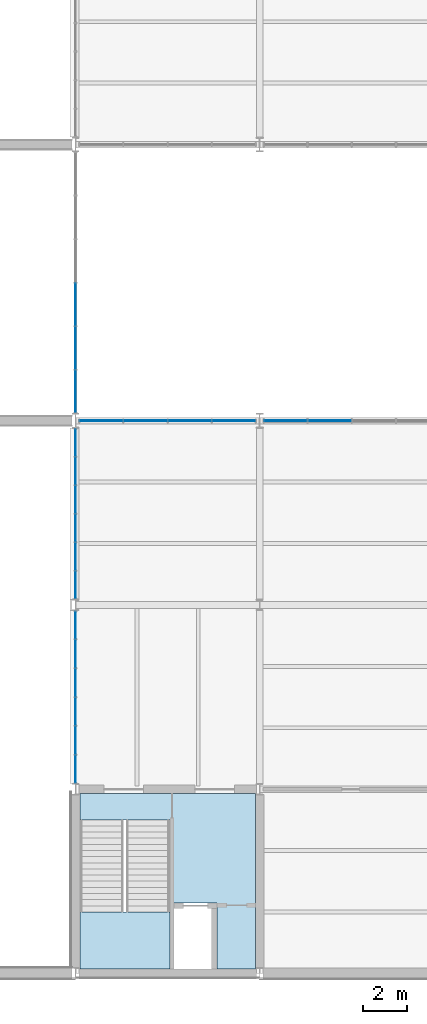
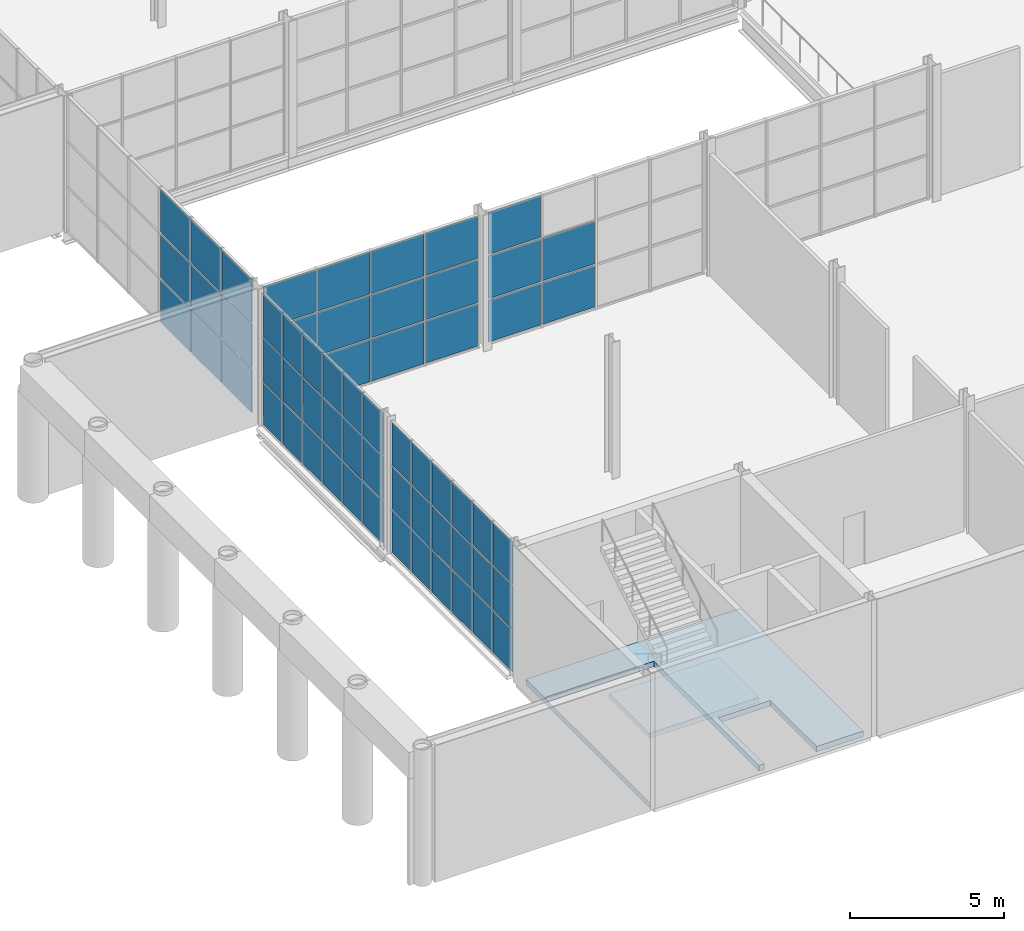
# One storey, part 32 of 64: 62 plates, 2 slabs, 6 elements without a shape of their own.
"""IFC4 building model written with IfcOpenShell, lengths in metres."""

from ifc_helpers import new_model, si_unit, direction, frame, origin, origin_2d, place, context, subcontext, project, spatial, polyline, rectangle, outline, extrude, material, layer, layer_set, type_object, element, aggregate, save


model = new_model("IFC4")

# Units and contexts
model_context = context("Model", 3, precision=1e-05, world=origin(), true_north=direction((0.0, 1.0)))
body_context = subcontext(model_context, "Body", "Model", "MODEL_VIEW")
ifc_project = project(units=[si_unit("LENGTHUNIT", "METRE"), si_unit("AREAUNIT", "SQUARE_METRE"), si_unit("VOLUMEUNIT", "CUBIC_METRE"), si_unit("PLANEANGLEUNIT", "RADIAN"), si_unit("MASSUNIT", "GRAM", prefix="KILO")], contexts=[model_context])

# Site, building, storey
site_placement = place(None, origin())
site = spatial("IfcSite", under=ifc_project, at=site_placement, CompositionType="ELEMENT")
building_placement = place(site_placement, origin())
building = spatial("IfcBuilding", under=site, at=building_placement, Name="Galleria Vessillo Department Store", CompositionType="ELEMENT")
storey_placement = place(building_placement, frame((0.0, 0.0, 6.0)))
storey = spatial("IfcBuildingStorey", under=building, at=storey_placement, Name="L01", CompositionType="ELEMENT", Elevation=6.0)

# Curtain wall, plates
ifc_material_1 = material(Name="Aluminium and glass curtain wall", Category="aluminium")
ifc_layer_1 = layer(ifc_material_1, 0.1201171875)
ifc_layer_set_1 = layer_set([ifc_layer_1], Name="Aluminium and glass curtain wall")
curtain_wall_type_1 = type_object("IfcCurtainWallType", Name="Shopfront curtain wall CW3 1400 module", PredefinedType="NOTDEFINED", material=ifc_layer_set_1)
curtain_wall_1_placement = place(storey_placement, origin())
curtain_wall_1 = element("IfcCurtainWall", 1, at=curtain_wall_1_placement, inside=storey, type_object=curtain_wall_type_1, Name="Shopfront curtain wall CW3 1400 module LB-L01-01", PredefinedType="NOTDEFINED")
ifc_material_2 = material(Name="Glass laminated 44.2 low-e", Category="glass")
ifc_layer_2 = layer(ifc_material_2, 0.02392578125)
ifc_layer_set_2 = layer_set([ifc_layer_2], Name="Glass laminated 44.2 low-e")
plate_type_1 = type_object("IfcPlateType", Name="Laminated glass panel 24 mm", PredefinedType="CURTAIN_PANEL", material=ifc_layer_set_2)
plate_1_placement = place(storey_placement, frame((8.39990234375, 9.32080078125, 1.77490234375), z_axis=(0.0, 0.0, 1.0), x_axis=(0.0, 1.0, 0.0)))
plate_1 = element("IfcPlate", 2, at=plate_1_placement, type_object=plate_type_1, Name="CW3 panel 1.2", PredefinedType="CURTAIN_PANEL", context=body_context, shape_type="SweptSolid", body=[
    extrude(rectangle(XDim=1.24169921875, YDim=0.02392578125, at=origin_2d()), origin(), (0.0, 0.0, 1.0), 1.699951171875),
])
plate_2_placement = place(storey_placement, frame((8.39990234375, 9.32080078125, 3.52490234375), z_axis=(0.0, 0.0, 1.0), x_axis=(0.0, 1.0, 0.0)))
plate_2 = element("IfcPlate", 3, at=plate_2_placement, type_object=plate_type_1, Name="CW3 panel 1.3", PredefinedType="CURTAIN_PANEL", context=body_context, shape_type="SweptSolid", body=[
    extrude(rectangle(XDim=1.24169921875, YDim=0.02392578125, at=origin_2d()), origin(), (0.0, 0.0, 1.0), 1.675048828125),
])
plate_3_placement = place(storey_placement, frame((8.39990234375, 10.625, 1.77490234375), z_axis=(0.0, 0.0, 1.0), x_axis=(0.0, 1.0, 0.0)))
plate_3 = element("IfcPlate", 4, at=plate_3_placement, type_object=plate_type_1, Name="CW3 panel 2.2", PredefinedType="CURTAIN_PANEL", context=body_context, shape_type="SweptSolid", body=[
    extrude(rectangle(XDim=1.2666015625, YDim=0.02392578125, at=origin_2d()), origin(), (0.0, 0.0, 1.0), 1.699951171875),
])
plate_4_placement = place(storey_placement, frame((8.39990234375, 10.625, 3.52490234375), z_axis=(0.0, 0.0, 1.0), x_axis=(0.0, 1.0, 0.0)))
plate_4 = element("IfcPlate", 5, at=plate_4_placement, type_object=plate_type_1, Name="CW3 panel 2.3", PredefinedType="CURTAIN_PANEL", context=body_context, shape_type="SweptSolid", body=[
    extrude(rectangle(XDim=1.2666015625, YDim=0.02392578125, at=origin_2d()), origin(), (0.0, 0.0, 1.0), 1.675048828125),
])
plate_5_placement = place(storey_placement, frame((8.39990234375, 11.941650390625, 1.77490234375), z_axis=(0.0, 0.0, 1.0), x_axis=(0.0, 1.0, 0.0)))
plate_5 = element("IfcPlate", 6, at=plate_5_placement, type_object=plate_type_1, Name="CW3 panel 3.2", PredefinedType="CURTAIN_PANEL", context=body_context, shape_type="SweptSolid", body=[
    extrude(rectangle(XDim=1.2666015625, YDim=0.02392578125, at=origin_2d()), origin(), (0.0, 0.0, 1.0), 1.699951171875),
])
plate_6_placement = place(storey_placement, frame((8.39990234375, 11.941650390625, 3.52490234375), z_axis=(0.0, 0.0, 1.0), x_axis=(0.0, 1.0, 0.0)))
plate_6 = element("IfcPlate", 7, at=plate_6_placement, type_object=plate_type_1, Name="CW3 panel 3.3", PredefinedType="CURTAIN_PANEL", context=body_context, shape_type="SweptSolid", body=[
    extrude(rectangle(XDim=1.2666015625, YDim=0.02392578125, at=origin_2d()), origin(), (0.0, 0.0, 1.0), 1.675048828125),
])
plate_7_placement = place(storey_placement, frame((8.39990234375, 13.25830078125, 1.77490234375), z_axis=(0.0, 0.0, 1.0), x_axis=(0.0, 1.0, 0.0)))
plate_7 = element("IfcPlate", 8, at=plate_7_placement, type_object=plate_type_1, Name="CW3 panel 4.2", PredefinedType="CURTAIN_PANEL", context=body_context, shape_type="SweptSolid", body=[
    extrude(rectangle(XDim=1.2666015625, YDim=0.02392578125, at=origin_2d()), origin(), (0.0, 0.0, 1.0), 1.699951171875),
])
plate_8_placement = place(storey_placement, frame((8.39990234375, 13.25830078125, 3.52490234375), z_axis=(0.0, 0.0, 1.0), x_axis=(0.0, 1.0, 0.0)))
plate_8 = element("IfcPlate", 9, at=plate_8_placement, type_object=plate_type_1, Name="CW3 panel 4.3", PredefinedType="CURTAIN_PANEL", context=body_context, shape_type="SweptSolid", body=[
    extrude(rectangle(XDim=1.2666015625, YDim=0.02392578125, at=origin_2d()), origin(), (0.0, 0.0, 1.0), 1.675048828125),
])
plate_9_placement = place(storey_placement, frame((8.39990234375, 14.574951171875, 1.77490234375), z_axis=(0.0, 0.0, 1.0), x_axis=(0.0, 1.0, 0.0)))
plate_9 = element("IfcPlate", 10, at=plate_9_placement, type_object=plate_type_1, Name="CW3 panel 5.2", PredefinedType="CURTAIN_PANEL", context=body_context, shape_type="SweptSolid", body=[
    extrude(rectangle(XDim=1.2666015625, YDim=0.02392578125, at=origin_2d()), origin(), (0.0, 0.0, 1.0), 1.699951171875),
])
plate_10_placement = place(storey_placement, frame((8.39990234375, 14.574951171875, 3.52490234375), z_axis=(0.0, 0.0, 1.0), x_axis=(0.0, 1.0, 0.0)))
plate_10 = element("IfcPlate", 11, at=plate_10_placement, type_object=plate_type_1, Name="CW3 panel 5.3", PredefinedType="CURTAIN_PANEL", context=body_context, shape_type="SweptSolid", body=[
    extrude(rectangle(XDim=1.2666015625, YDim=0.02392578125, at=origin_2d()), origin(), (0.0, 0.0, 1.0), 1.675048828125),
])
plate_11_placement = place(storey_placement, frame((8.39990234375, 15.879150390625, 1.77490234375), z_axis=(0.0, 0.0, 1.0), x_axis=(0.0, 1.0, 0.0)))
plate_11 = element("IfcPlate", 12, at=plate_11_placement, type_object=plate_type_1, Name="CW3 panel 6.2", PredefinedType="CURTAIN_PANEL", context=body_context, shape_type="SweptSolid", body=[
    extrude(rectangle(XDim=1.24169921875, YDim=0.02392578125, at=origin_2d()), origin(), (0.0, 0.0, 1.0), 1.699951171875),
])
plate_12_placement = place(storey_placement, frame((8.39990234375, 15.879150390625, 3.52490234375), z_axis=(0.0, 0.0, 1.0), x_axis=(0.0, 1.0, 0.0)))
plate_12 = element("IfcPlate", 13, at=plate_12_placement, type_object=plate_type_1, Name="CW3 panel 6.3", PredefinedType="CURTAIN_PANEL", context=body_context, shape_type="SweptSolid", body=[
    extrude(rectangle(XDim=1.24169921875, YDim=0.02392578125, at=origin_2d()), origin(), (0.0, 0.0, 1.0), 1.675048828125),
])

curtain_wall_2_placement = place(storey_placement, origin())
curtain_wall_2 = element("IfcCurtainWall", 14, at=curtain_wall_2_placement, inside=storey, type_object=curtain_wall_type_1, Name="Shopfront curtain wall CW3 1400 module LB-L01-02", PredefinedType="NOTDEFINED")
plate_13_placement = place(storey_placement, frame((8.39990234375, 17.7138671875, 1.77490234375), z_axis=(0.0, 0.0, 1.0), x_axis=(0.0, 1.0, 0.0)))
plate_13 = element("IfcPlate", 15, at=plate_13_placement, type_object=plate_type_1, Name="CW3 panel 1.2", PredefinedType="CURTAIN_PANEL", context=body_context, shape_type="SweptSolid", body=[
    extrude(rectangle(XDim=1.2275390625, YDim=0.02392578125, at=origin_2d()), origin(), (0.0, 0.0, 1.0), 1.699951171875),
])
plate_14_placement = place(storey_placement, frame((8.39990234375, 17.7138671875, 3.52490234375), z_axis=(0.0, 0.0, 1.0), x_axis=(0.0, 1.0, 0.0)))
plate_14 = element("IfcPlate", 16, at=plate_14_placement, type_object=plate_type_1, Name="CW3 panel 1.3", PredefinedType="CURTAIN_PANEL", context=body_context, shape_type="SweptSolid", body=[
    extrude(rectangle(XDim=1.2275390625, YDim=0.02392578125, at=origin_2d()), origin(), (0.0, 0.0, 1.0), 1.675048828125),
])
plate_15_placement = place(storey_placement, frame((8.39990234375, 19.00390625, 1.77490234375), z_axis=(0.0, 0.0, 1.0), x_axis=(0.0, 1.0, 0.0)))
plate_15 = element("IfcPlate", 17, at=plate_15_placement, type_object=plate_type_1, Name="CW3 panel 2.2", PredefinedType="CURTAIN_PANEL", context=body_context, shape_type="SweptSolid", body=[
    extrude(rectangle(XDim=1.252685546875, YDim=0.02392578125, at=origin_2d()), origin(), (0.0, 0.0, 1.0), 1.699951171875),
])
plate_16_placement = place(storey_placement, frame((8.39990234375, 19.00390625, 3.52490234375), z_axis=(0.0, 0.0, 1.0), x_axis=(0.0, 1.0, 0.0)))
plate_16 = element("IfcPlate", 18, at=plate_16_placement, type_object=plate_type_1, Name="CW3 panel 2.3", PredefinedType="CURTAIN_PANEL", context=body_context, shape_type="SweptSolid", body=[
    extrude(rectangle(XDim=1.252685546875, YDim=0.02392578125, at=origin_2d()), origin(), (0.0, 0.0, 1.0), 1.675048828125),
])
plate_17_placement = place(storey_placement, frame((8.39990234375, 20.306640625, 1.77490234375), z_axis=(0.0, 0.0, 1.0), x_axis=(0.0, 1.0, 0.0)))
plate_17 = element("IfcPlate", 19, at=plate_17_placement, type_object=plate_type_1, Name="CW3 panel 3.2", PredefinedType="CURTAIN_PANEL", context=body_context, shape_type="SweptSolid", body=[
    extrude(rectangle(XDim=1.252685546875, YDim=0.02392578125, at=origin_2d()), origin(), (0.0, 0.0, 1.0), 1.699951171875),
])
plate_18_placement = place(storey_placement, frame((8.39990234375, 20.306640625, 3.52490234375), z_axis=(0.0, 0.0, 1.0), x_axis=(0.0, 1.0, 0.0)))
plate_18 = element("IfcPlate", 20, at=plate_18_placement, type_object=plate_type_1, Name="CW3 panel 3.3", PredefinedType="CURTAIN_PANEL", context=body_context, shape_type="SweptSolid", body=[
    extrude(rectangle(XDim=1.252685546875, YDim=0.02392578125, at=origin_2d()), origin(), (0.0, 0.0, 1.0), 1.675048828125),
])
plate_19_placement = place(storey_placement, frame((8.39990234375, 21.609375, 1.77490234375), z_axis=(0.0, 0.0, 1.0), x_axis=(0.0, 1.0, 0.0)))
plate_19 = element("IfcPlate", 21, at=plate_19_placement, type_object=plate_type_1, Name="CW3 panel 4.2", PredefinedType="CURTAIN_PANEL", context=body_context, shape_type="SweptSolid", body=[
    extrude(rectangle(XDim=1.252685546875, YDim=0.02392578125, at=origin_2d()), origin(), (0.0, 0.0, 1.0), 1.699951171875),
])
plate_20_placement = place(storey_placement, frame((8.39990234375, 21.609375, 3.52490234375), z_axis=(0.0, 0.0, 1.0), x_axis=(0.0, 1.0, 0.0)))
plate_20 = element("IfcPlate", 22, at=plate_20_placement, type_object=plate_type_1, Name="CW3 panel 4.3", PredefinedType="CURTAIN_PANEL", context=body_context, shape_type="SweptSolid", body=[
    extrude(rectangle(XDim=1.252685546875, YDim=0.02392578125, at=origin_2d()), origin(), (0.0, 0.0, 1.0), 1.675048828125),
])
plate_21_placement = place(storey_placement, frame((8.39990234375, 22.912109375, 1.77490234375), z_axis=(0.0, 0.0, 1.0), x_axis=(0.0, 1.0, 0.0)))
plate_21 = element("IfcPlate", 23, at=plate_21_placement, type_object=plate_type_1, Name="CW3 panel 5.2", PredefinedType="CURTAIN_PANEL", context=body_context, shape_type="SweptSolid", body=[
    extrude(rectangle(XDim=1.252685546875, YDim=0.02392578125, at=origin_2d()), origin(), (0.0, 0.0, 1.0), 1.699951171875),
])
plate_22_placement = place(storey_placement, frame((8.39990234375, 22.912109375, 3.52490234375), z_axis=(0.0, 0.0, 1.0), x_axis=(0.0, 1.0, 0.0)))
plate_22 = element("IfcPlate", 24, at=plate_22_placement, type_object=plate_type_1, Name="CW3 panel 5.3", PredefinedType="CURTAIN_PANEL", context=body_context, shape_type="SweptSolid", body=[
    extrude(rectangle(XDim=1.252685546875, YDim=0.02392578125, at=origin_2d()), origin(), (0.0, 0.0, 1.0), 1.675048828125),
])
plate_23_placement = place(storey_placement, frame((8.39990234375, 24.2021484375, 1.77490234375), z_axis=(0.0, 0.0, 1.0), x_axis=(0.0, 1.0, 0.0)))
plate_23 = element("IfcPlate", 25, at=plate_23_placement, type_object=plate_type_1, Name="CW3 panel 6.2", PredefinedType="CURTAIN_PANEL", context=body_context, shape_type="SweptSolid", body=[
    extrude(rectangle(XDim=1.2275390625, YDim=0.02392578125, at=origin_2d()), origin(), (0.0, 0.0, 1.0), 1.699951171875),
])
plate_24_placement = place(storey_placement, frame((8.39990234375, 24.2021484375, 3.52490234375), z_axis=(0.0, 0.0, 1.0), x_axis=(0.0, 1.0, 0.0)))
plate_24 = element("IfcPlate", 26, at=plate_24_placement, type_object=plate_type_1, Name="CW3 panel 6.3", PredefinedType="CURTAIN_PANEL", context=body_context, shape_type="SweptSolid", body=[
    extrude(rectangle(XDim=1.2275390625, YDim=0.02392578125, at=origin_2d()), origin(), (0.0, 0.0, 1.0), 1.675048828125),
])

ifc_material_3 = material(Name="Aluminium and glass curtain wall", Category="aluminium")
ifc_layer_3 = layer(ifc_material_3, 0.159912109375)
ifc_layer_set_3 = layer_set([ifc_layer_3], Name="Aluminium and glass curtain wall")
curtain_wall_type_2 = type_object("IfcCurtainWallType", Name="Arcade portal glazing CW2 2100 module", PredefinedType="NOTDEFINED", material=ifc_layer_set_3)
curtain_wall_3_placement = place(storey_placement, origin())
curtain_wall_3 = element("IfcCurtainWall", 27, at=curtain_wall_3_placement, inside=storey, type_object=curtain_wall_type_2, Name="Arcade portal glazing CW2 2100 module PW-W-S-L01-01", PredefinedType="NOTDEFINED")
ifc_material_4 = material(Name="Glass laminated 44.2 low-e", Category="glass")
ifc_layer_4 = layer(ifc_material_4, 0.028076171875)
ifc_layer_set_4 = layer_set([ifc_layer_4], Name="Glass laminated 44.2 low-e")
plate_type_2 = type_object("IfcPlateType", Name="Laminated glass panel 28 mm", PredefinedType="CURTAIN_PANEL", material=ifc_layer_set_4)
plate_25_placement = place(storey_placement, frame((9.576904296875, 25.199951171875, 0.06005859375), z_axis=(0.0, 0.0, 1.0), x_axis=(1.0, 0.0, 0.0)))
plate_25 = element("IfcPlate", 28, at=plate_25_placement, type_object=plate_type_2, Name="CW2 panel 1.1", PredefinedType="CURTAIN_PANEL", context=body_context, shape_type="SweptSolid", body=[
    extrude(rectangle(XDim=1.94873046875, YDim=0.028076171875, at=origin_2d()), origin(), (0.0, 0.0, 1.0), 1.659912109375),
])
plate_26_placement = place(storey_placement, frame((9.576904296875, 25.199951171875, 1.780029296875), z_axis=(0.0, 0.0, 1.0), x_axis=(1.0, 0.0, 0.0)))
plate_26 = element("IfcPlate", 29, at=plate_26_placement, type_object=plate_type_2, Name="CW2 panel 1.2", PredefinedType="CURTAIN_PANEL", context=body_context, shape_type="SweptSolid", body=[
    extrude(rectangle(XDim=1.94873046875, YDim=0.028076171875, at=origin_2d()), origin(), (0.0, 0.0, 1.0), 1.68994140625),
])
plate_27_placement = place(storey_placement, frame((9.576904296875, 25.199951171875, 3.5302734375), z_axis=(0.0, 0.0, 1.0), x_axis=(1.0, 0.0, 0.0)))
plate_27 = element("IfcPlate", 30, at=plate_27_placement, type_object=plate_type_2, Name="CW2 panel 1.3", PredefinedType="CURTAIN_PANEL", context=body_context, shape_type="SweptSolid", body=[
    extrude(rectangle(XDim=1.94873046875, YDim=0.028076171875, at=origin_2d()), origin(), (0.0, 0.0, 1.0), 1.659912109375),
])
plate_28_placement = place(storey_placement, frame((11.588134765625, 25.199951171875, 0.06005859375), z_axis=(0.0, 0.0, 1.0), x_axis=(1.0, 0.0, 0.0)))
plate_28 = element("IfcPlate", 31, at=plate_28_placement, type_object=plate_type_2, Name="CW2 panel 2.1", PredefinedType="CURTAIN_PANEL", context=body_context, shape_type="SweptSolid", body=[
    extrude(rectangle(XDim=1.9736328125, YDim=0.028076171875, at=origin_2d()), origin(), (0.0, 0.0, 1.0), 1.659912109375),
])
plate_29_placement = place(storey_placement, frame((11.588134765625, 25.199951171875, 1.780029296875), z_axis=(0.0, 0.0, 1.0), x_axis=(1.0, 0.0, 0.0)))
plate_29 = element("IfcPlate", 32, at=plate_29_placement, type_object=plate_type_2, Name="CW2 panel 2.2", PredefinedType="CURTAIN_PANEL", context=body_context, shape_type="SweptSolid", body=[
    extrude(rectangle(XDim=1.9736328125, YDim=0.028076171875, at=origin_2d()), origin(), (0.0, 0.0, 1.0), 1.68994140625),
])
plate_30_placement = place(storey_placement, frame((11.588134765625, 25.199951171875, 3.5302734375), z_axis=(0.0, 0.0, 1.0), x_axis=(1.0, 0.0, 0.0)))
plate_30 = element("IfcPlate", 33, at=plate_30_placement, type_object=plate_type_2, Name="CW2 panel 2.3", PredefinedType="CURTAIN_PANEL", context=body_context, shape_type="SweptSolid", body=[
    extrude(rectangle(XDim=1.9736328125, YDim=0.028076171875, at=origin_2d()), origin(), (0.0, 0.0, 1.0), 1.659912109375),
])
plate_31_placement = place(storey_placement, frame((13.61181640625, 25.199951171875, 0.06005859375), z_axis=(0.0, 0.0, 1.0), x_axis=(1.0, 0.0, 0.0)))
plate_31 = element("IfcPlate", 34, at=plate_31_placement, type_object=plate_type_2, Name="CW2 panel 3.1", PredefinedType="CURTAIN_PANEL", context=body_context, shape_type="SweptSolid", body=[
    extrude(rectangle(XDim=1.9736328125, YDim=0.028076171875, at=origin_2d()), origin(), (0.0, 0.0, 1.0), 1.659912109375),
])
plate_32_placement = place(storey_placement, frame((13.61181640625, 25.199951171875, 1.780029296875), z_axis=(0.0, 0.0, 1.0), x_axis=(1.0, 0.0, 0.0)))
plate_32 = element("IfcPlate", 35, at=plate_32_placement, type_object=plate_type_2, Name="CW2 panel 3.2", PredefinedType="CURTAIN_PANEL", context=body_context, shape_type="SweptSolid", body=[
    extrude(rectangle(XDim=1.9736328125, YDim=0.028076171875, at=origin_2d()), origin(), (0.0, 0.0, 1.0), 1.68994140625),
])
plate_33_placement = place(storey_placement, frame((13.61181640625, 25.199951171875, 3.5302734375), z_axis=(0.0, 0.0, 1.0), x_axis=(1.0, 0.0, 0.0)))
plate_33 = element("IfcPlate", 36, at=plate_33_placement, type_object=plate_type_2, Name="CW2 panel 3.3", PredefinedType="CURTAIN_PANEL", context=body_context, shape_type="SweptSolid", body=[
    extrude(rectangle(XDim=1.9736328125, YDim=0.028076171875, at=origin_2d()), origin(), (0.0, 0.0, 1.0), 1.659912109375),
])
plate_34_placement = place(storey_placement, frame((15.623046875, 25.199951171875, 0.06005859375), z_axis=(0.0, 0.0, 1.0), x_axis=(1.0, 0.0, 0.0)))
plate_34 = element("IfcPlate", 37, at=plate_34_placement, type_object=plate_type_2, Name="CW2 panel 4.1", PredefinedType="CURTAIN_PANEL", context=body_context, shape_type="SweptSolid", body=[
    extrude(rectangle(XDim=1.94873046875, YDim=0.028076171875, at=origin_2d()), origin(), (0.0, 0.0, 1.0), 1.659912109375),
])
plate_35_placement = place(storey_placement, frame((15.623046875, 25.199951171875, 1.780029296875), z_axis=(0.0, 0.0, 1.0), x_axis=(1.0, 0.0, 0.0)))
plate_35 = element("IfcPlate", 38, at=plate_35_placement, type_object=plate_type_2, Name="CW2 panel 4.2", PredefinedType="CURTAIN_PANEL", context=body_context, shape_type="SweptSolid", body=[
    extrude(rectangle(XDim=1.94873046875, YDim=0.028076171875, at=origin_2d()), origin(), (0.0, 0.0, 1.0), 1.68994140625),
])
plate_36_placement = place(storey_placement, frame((15.623046875, 25.199951171875, 3.5302734375), z_axis=(0.0, 0.0, 1.0), x_axis=(1.0, 0.0, 0.0)))
plate_36 = element("IfcPlate", 39, at=plate_36_placement, type_object=plate_type_2, Name="CW2 panel 4.3", PredefinedType="CURTAIN_PANEL", context=body_context, shape_type="SweptSolid", body=[
    extrude(rectangle(XDim=1.94873046875, YDim=0.028076171875, at=origin_2d()), origin(), (0.0, 0.0, 1.0), 1.659912109375),
])
aggregate(curtain_wall_3, [plate_25, plate_26, plate_27, plate_28, plate_29, plate_30, plate_31, plate_32, plate_33, plate_34, plate_35, plate_36])

curtain_wall_4_placement = place(storey_placement, origin())
curtain_wall_4 = element("IfcCurtainWall", 40, at=curtain_wall_4_placement, inside=storey, type_object=curtain_wall_type_2, Name="Arcade portal glazing CW2 2100 module SCR-W-L01-01", PredefinedType="NOTDEFINED")
plate_37_placement = place(storey_placement, frame((8.39990234375, 26.540771484375, 0.06005859375), z_axis=(0.0, 0.0, 1.0), x_axis=(0.0, 1.0, 0.0)))
plate_37 = element("IfcPlate", 41, at=plate_37_placement, type_object=plate_type_2, Name="CW2 panel 1.1", PredefinedType="CURTAIN_PANEL", context=body_context, shape_type="SweptSolid", body=[
    extrude(rectangle(XDim=1.91357421875, YDim=0.028076171875, at=origin_2d()), origin(), (0.0, 0.0, 1.0), 1.7099609375),
])
plate_38_placement = place(storey_placement, frame((8.39990234375, 26.540771484375, 1.830078125), z_axis=(0.0, 0.0, 1.0), x_axis=(0.0, 1.0, 0.0)))
plate_38 = element("IfcPlate", 42, at=plate_38_placement, type_object=plate_type_2, Name="CW2 panel 1.2", PredefinedType="CURTAIN_PANEL", context=body_context, shape_type="SweptSolid", body=[
    extrude(rectangle(XDim=1.91357421875, YDim=0.028076171875, at=origin_2d()), origin(), (0.0, 0.0, 1.0), 1.739990234375),
])
plate_39_placement = place(storey_placement, frame((8.39990234375, 26.540771484375, 3.6298828125), z_axis=(0.0, 0.0, 1.0), x_axis=(0.0, 1.0, 0.0)))
plate_39 = element("IfcPlate", 43, at=plate_39_placement, type_object=plate_type_2, Name="CW2 panel 1.3", PredefinedType="CURTAIN_PANEL", context=body_context, shape_type="SweptSolid", body=[
    extrude(rectangle(XDim=1.91357421875, YDim=0.028076171875, at=origin_2d()), origin(), (0.0, 0.0, 1.0), 1.7099609375),
])
plate_40_placement = place(storey_placement, frame((8.39990234375, 28.516845703125, 0.06005859375), z_axis=(0.0, 0.0, 1.0), x_axis=(0.0, 1.0, 0.0)))
plate_40 = element("IfcPlate", 44, at=plate_40_placement, type_object=plate_type_2, Name="CW2 panel 2.1", PredefinedType="CURTAIN_PANEL", context=body_context, shape_type="SweptSolid", body=[
    extrude(rectangle(XDim=1.938720703125, YDim=0.028076171875, at=origin_2d()), origin(), (0.0, 0.0, 1.0), 1.7099609375),
])
plate_41_placement = place(storey_placement, frame((8.39990234375, 28.516845703125, 1.830078125), z_axis=(0.0, 0.0, 1.0), x_axis=(0.0, 1.0, 0.0)))
plate_41 = element("IfcPlate", 45, at=plate_41_placement, type_object=plate_type_2, Name="CW2 panel 2.2", PredefinedType="CURTAIN_PANEL", context=body_context, shape_type="SweptSolid", body=[
    extrude(rectangle(XDim=1.938720703125, YDim=0.028076171875, at=origin_2d()), origin(), (0.0, 0.0, 1.0), 1.739990234375),
])
plate_42_placement = place(storey_placement, frame((8.39990234375, 28.516845703125, 3.6298828125), z_axis=(0.0, 0.0, 1.0), x_axis=(0.0, 1.0, 0.0)))
plate_42 = element("IfcPlate", 46, at=plate_42_placement, type_object=plate_type_2, Name="CW2 panel 2.3", PredefinedType="CURTAIN_PANEL", context=body_context, shape_type="SweptSolid", body=[
    extrude(rectangle(XDim=1.938720703125, YDim=0.028076171875, at=origin_2d()), origin(), (0.0, 0.0, 1.0), 1.7099609375),
])
plate_43_placement = place(storey_placement, frame((8.39990234375, 30.505615234375, 0.06005859375), z_axis=(0.0, 0.0, 1.0), x_axis=(0.0, 1.0, 0.0)))
plate_43 = element("IfcPlate", 47, at=plate_43_placement, type_object=plate_type_2, Name="CW2 panel 3.1", PredefinedType="CURTAIN_PANEL", context=body_context, shape_type="SweptSolid", body=[
    extrude(rectangle(XDim=1.938720703125, YDim=0.028076171875, at=origin_2d()), origin(), (0.0, 0.0, 1.0), 1.7099609375),
])
plate_44_placement = place(storey_placement, frame((8.39990234375, 30.505615234375, 1.830078125), z_axis=(0.0, 0.0, 1.0), x_axis=(0.0, 1.0, 0.0)))
plate_44 = element("IfcPlate", 48, at=plate_44_placement, type_object=plate_type_2, Name="CW2 panel 3.2", PredefinedType="CURTAIN_PANEL", context=body_context, shape_type="SweptSolid", body=[
    extrude(rectangle(XDim=1.938720703125, YDim=0.028076171875, at=origin_2d()), origin(), (0.0, 0.0, 1.0), 1.739990234375),
])
plate_45_placement = place(storey_placement, frame((8.39990234375, 30.505615234375, 3.6298828125), z_axis=(0.0, 0.0, 1.0), x_axis=(0.0, 1.0, 0.0)))
plate_45 = element("IfcPlate", 49, at=plate_45_placement, type_object=plate_type_2, Name="CW2 panel 3.3", PredefinedType="CURTAIN_PANEL", context=body_context, shape_type="SweptSolid", body=[
    extrude(rectangle(XDim=1.938720703125, YDim=0.028076171875, at=origin_2d()), origin(), (0.0, 0.0, 1.0), 1.7099609375),
])
aggregate(curtain_wall_4, [plate_37, plate_38, plate_39, plate_40, plate_41, plate_42, plate_43, plate_44, plate_45])

ifc_material_5 = material(Name="Aluminium and glass curtain wall", Category="aluminium")
ifc_layer_5 = layer(ifc_material_5, 0.199951171875)
ifc_layer_set_5 = layer_set([ifc_layer_5], Name="Aluminium and glass curtain wall")
curtain_wall_type_3 = type_object("IfcCurtainWallType", Name="Arcade curtain wall CW1 2100 module", PredefinedType="NOTDEFINED", material=ifc_layer_set_5)
curtain_wall_5_placement = place(storey_placement, origin())
curtain_wall_5 = element("IfcCurtainWall", 50, at=curtain_wall_5_placement, inside=storey, type_object=curtain_wall_type_3, Name="Arcade curtain wall CW1 2100 module AI-AW-S-L01-01", PredefinedType="NOTDEFINED")
ifc_material_6 = material(Name="Glass laminated 44.2 low-e", Category="glass")
ifc_layer_6 = layer(ifc_material_6, 0.031982421875)
ifc_layer_set_6 = layer_set([ifc_layer_6], Name="Glass laminated 44.2 low-e")
plate_type_3 = type_object("IfcPlateType", Name="Laminated glass panel 32 mm", PredefinedType="CURTAIN_PANEL", material=ifc_layer_set_6)
plate_46_placement = place(storey_placement, frame((17.9794921875, 25.199951171875, 0.070068359375), z_axis=(0.0, 0.0, 1.0), x_axis=(1.0, 0.0, 0.0)))
plate_46 = element("IfcPlate", 51, at=plate_46_placement, type_object=plate_type_3, Name="CW1 panel 1.1", PredefinedType="CURTAIN_PANEL", context=body_context, shape_type="SweptSolid", body=[
    extrude(rectangle(XDim=1.93359375, YDim=0.031982421875, at=origin_2d()), origin(), (0.0, 0.0, 1.0), 1.64501953125),
])
plate_47_placement = place(storey_placement, frame((17.9794921875, 25.199951171875, 1.78515625), z_axis=(0.0, 0.0, 1.0), x_axis=(1.0, 0.0, 0.0)))
plate_47 = element("IfcPlate", 52, at=plate_47_placement, type_object=plate_type_3, Name="CW1 panel 1.2", PredefinedType="CURTAIN_PANEL", context=body_context, shape_type="SweptSolid", body=[
    extrude(rectangle(XDim=1.93359375, YDim=0.031982421875, at=origin_2d()), origin(), (0.0, 0.0, 1.0), 1.679931640625),
])
plate_48_placement = place(storey_placement, frame((17.9794921875, 25.199951171875, 3.534912109375), z_axis=(0.0, 0.0, 1.0), x_axis=(1.0, 0.0, 0.0)))
plate_48 = element("IfcPlate", 53, at=plate_48_placement, type_object=plate_type_3, Name="CW1 panel 1.3", PredefinedType="CURTAIN_PANEL", context=body_context, shape_type="SweptSolid", body=[
    extrude(rectangle(XDim=1.93359375, YDim=0.031982421875, at=origin_2d()), origin(), (0.0, 0.0, 1.0), 1.64501953125),
])
plate_49_placement = place(storey_placement, frame((19.988037109375, 25.199951171875, 0.070068359375), z_axis=(0.0, 0.0, 1.0), x_axis=(1.0, 0.0, 0.0)))
plate_49 = element("IfcPlate", 54, at=plate_49_placement, type_object=plate_type_3, Name="CW1 panel 2.1", PredefinedType="CURTAIN_PANEL", context=body_context, shape_type="SweptSolid", body=[
    extrude(rectangle(XDim=1.963623046875, YDim=0.031982421875, at=origin_2d()), origin(), (0.0, 0.0, 1.0), 1.64501953125),
])
plate_50_placement = place(storey_placement, frame((19.988037109375, 25.199951171875, 1.78515625), z_axis=(0.0, 0.0, 1.0), x_axis=(1.0, 0.0, 0.0)))
plate_50 = element("IfcPlate", 55, at=plate_50_placement, type_object=plate_type_3, Name="CW1 panel 2.2", PredefinedType="CURTAIN_PANEL", context=body_context, shape_type="SweptSolid", body=[
    extrude(rectangle(XDim=1.963623046875, YDim=0.031982421875, at=origin_2d()), origin(), (0.0, 0.0, 1.0), 1.679931640625),
])
aggregate(curtain_wall_5, [plate_46, plate_47, plate_48, plate_49, plate_50])

# Slab
ifc_material_7 = material(Name="Concrete C32/40 reinforced", Category="concrete")
ifc_layer_7 = layer(ifc_material_7, 0.219970703125)
ifc_layer_set_7 = layer_set([ifc_layer_7], Name="Concrete C32/40 reinforced")
slab_type_1 = type_object("IfcSlabType", Name="Reinforced concrete core floor slab 220 mm", PredefinedType="FLOOR", material=ifc_layer_set_7)
slab_1_placement = place(storey_placement, frame((0.0, 0.0, -0.219970703125)))
element("IfcSlab", 56, at=slab_1_placement, inside=storey, type_object=slab_type_1, Name="S-SLAB-L01-CORE-PC-SW", PredefinedType="FLOOR", context=body_context, shape_type="SweptSolid", body=[
    extrude(outline(polyline([(8.599853515625, 8.199951171875), (16.60009765625, 8.199951171875), (16.60009765625, 0.199951171875), (14.85009765625, 0.199951171875), (14.85009765625, 3.199951171875), (12.89990234375, 3.199951171875), (12.89990234375, 0.199951171875), (12.699951171875, 0.199951171875), (12.699951171875, 7.0), (8.60009765625, 7.0), (8.60009765625, 0.199951171875), (8.599853515625, 8.199951171875)])), origin(), (0.0, 0.0, 1.0), 0.219970703125),
])

# Stair, slab
ifc_material_8 = material(Name="Concrete C32/40", Category="concrete")
stair_type = type_object("IfcStairType", Name="Half-turn escape stair 2000 mm, 32 risers of 169 mm", PredefinedType="HALF_TURN_STAIR", material=ifc_material_8)
stair_placement = place(storey_placement, origin())
stair = element("IfcStair", 57, at=stair_placement, inside=storey, type_object=stair_type, Name="Stair ST1 L01", PredefinedType="HALF_TURN_STAIR")
ifc_material_9 = material(Name="Concrete C32/40", Category="concrete")
ifc_layer_8 = layer(ifc_material_9, 0.199951171875)
ifc_layer_set_8 = layer_set([ifc_layer_8], Name="Concrete C32/40")
slab_type_2 = type_object("IfcSlabType", Name="Stair half landing 4100 x 2600 mm", PredefinedType="LANDING", material=ifc_layer_set_8)
slab_2_placement = place(storey_placement, frame((0.0, 0.0, 2.5)))
slab_2 = element("IfcSlab", 58, at=slab_2_placement, type_object=slab_type_2, Name="ST1 landing 1", PredefinedType="LANDING", context=body_context, shape_type="SweptSolid", body=[
    extrude(outline(polyline([(8.599853515625, 0.199951171875), (8.599853515625, 2.800048828125), (12.699951171875, 2.800048828125), (12.699951171875, 0.199951171875), (8.599853515625, 0.199951171875)])), origin(), (0.0, 0.0, 1.0), 0.199951171875),
])
aggregate(stair, [slab_2])

# Plate
ifc_material_10 = material(Name="Limestone spandrel on aluminium tray", Category="masonry")
ifc_layer_9 = layer(ifc_material_10, 0.02392578125)
ifc_layer_set_9 = layer_set([ifc_layer_9], Name="Limestone spandrel on aluminium tray")
plate_type_4 = type_object("IfcPlateType", Name="Stone spandrel panel 24 mm", PredefinedType="CURTAIN_PANEL", material=ifc_layer_set_9)
plate_51_placement = place(storey_placement, frame((8.39990234375, 9.32080078125, 0.0498046875), z_axis=(0.0, 0.0, 1.0), x_axis=(0.0, 1.0, 0.0)))
plate_51 = element("IfcPlate", 59, at=plate_51_placement, type_object=plate_type_4, Name="CW3 panel 1.1", PredefinedType="CURTAIN_PANEL", context=body_context, shape_type="SweptSolid", body=[
    extrude(rectangle(XDim=1.24169921875, YDim=0.02392578125, at=origin_2d()), origin(), (0.0, 0.0, 1.0), 1.675048828125),
])

plate_52_placement = place(storey_placement, frame((8.39990234375, 10.625, 0.0498046875), z_axis=(0.0, 0.0, 1.0), x_axis=(0.0, 1.0, 0.0)))
plate_52 = element("IfcPlate", 60, at=plate_52_placement, type_object=plate_type_4, Name="CW3 panel 2.1", PredefinedType="CURTAIN_PANEL", context=body_context, shape_type="SweptSolid", body=[
    extrude(rectangle(XDim=1.2666015625, YDim=0.02392578125, at=origin_2d()), origin(), (0.0, 0.0, 1.0), 1.675048828125),
])

plate_53_placement = place(storey_placement, frame((8.39990234375, 11.941650390625, 0.0498046875), z_axis=(0.0, 0.0, 1.0), x_axis=(0.0, 1.0, 0.0)))
plate_53 = element("IfcPlate", 61, at=plate_53_placement, type_object=plate_type_4, Name="CW3 panel 3.1", PredefinedType="CURTAIN_PANEL", context=body_context, shape_type="SweptSolid", body=[
    extrude(rectangle(XDim=1.2666015625, YDim=0.02392578125, at=origin_2d()), origin(), (0.0, 0.0, 1.0), 1.675048828125),
])

plate_54_placement = place(storey_placement, frame((8.39990234375, 13.25830078125, 0.0498046875), z_axis=(0.0, 0.0, 1.0), x_axis=(0.0, 1.0, 0.0)))
plate_54 = element("IfcPlate", 62, at=plate_54_placement, type_object=plate_type_4, Name="CW3 panel 4.1", PredefinedType="CURTAIN_PANEL", context=body_context, shape_type="SweptSolid", body=[
    extrude(rectangle(XDim=1.2666015625, YDim=0.02392578125, at=origin_2d()), origin(), (0.0, 0.0, 1.0), 1.675048828125),
])

plate_55_placement = place(storey_placement, frame((8.39990234375, 14.574951171875, 0.0498046875), z_axis=(0.0, 0.0, 1.0), x_axis=(0.0, 1.0, 0.0)))
plate_55 = element("IfcPlate", 63, at=plate_55_placement, type_object=plate_type_4, Name="CW3 panel 5.1", PredefinedType="CURTAIN_PANEL", context=body_context, shape_type="SweptSolid", body=[
    extrude(rectangle(XDim=1.2666015625, YDim=0.02392578125, at=origin_2d()), origin(), (0.0, 0.0, 1.0), 1.675048828125),
])

plate_56_placement = place(storey_placement, frame((8.39990234375, 15.879150390625, 0.0498046875), z_axis=(0.0, 0.0, 1.0), x_axis=(0.0, 1.0, 0.0)))
plate_56 = element("IfcPlate", 64, at=plate_56_placement, type_object=plate_type_4, Name="CW3 panel 6.1", PredefinedType="CURTAIN_PANEL", context=body_context, shape_type="SweptSolid", body=[
    extrude(rectangle(XDim=1.24169921875, YDim=0.02392578125, at=origin_2d()), origin(), (0.0, 0.0, 1.0), 1.675048828125),
])

aggregate(curtain_wall_1, [plate_51, plate_1, plate_2, plate_52, plate_3, plate_4, plate_53, plate_5, plate_6, plate_54, plate_7, plate_8, plate_55, plate_9, plate_10, plate_56, plate_11, plate_12])

plate_57_placement = place(storey_placement, frame((8.39990234375, 17.7138671875, 0.0498046875), z_axis=(0.0, 0.0, 1.0), x_axis=(0.0, 1.0, 0.0)))
plate_57 = element("IfcPlate", 65, at=plate_57_placement, type_object=plate_type_4, Name="CW3 panel 1.1", PredefinedType="CURTAIN_PANEL", context=body_context, shape_type="SweptSolid", body=[
    extrude(rectangle(XDim=1.2275390625, YDim=0.02392578125, at=origin_2d()), origin(), (0.0, 0.0, 1.0), 1.675048828125),
])

plate_58_placement = place(storey_placement, frame((8.39990234375, 19.00390625, 0.0498046875), z_axis=(0.0, 0.0, 1.0), x_axis=(0.0, 1.0, 0.0)))
plate_58 = element("IfcPlate", 66, at=plate_58_placement, type_object=plate_type_4, Name="CW3 panel 2.1", PredefinedType="CURTAIN_PANEL", context=body_context, shape_type="SweptSolid", body=[
    extrude(rectangle(XDim=1.252685546875, YDim=0.02392578125, at=origin_2d()), origin(), (0.0, 0.0, 1.0), 1.675048828125),
])

plate_59_placement = place(storey_placement, frame((8.39990234375, 20.306640625, 0.0498046875), z_axis=(0.0, 0.0, 1.0), x_axis=(0.0, 1.0, 0.0)))
plate_59 = element("IfcPlate", 67, at=plate_59_placement, type_object=plate_type_4, Name="CW3 panel 3.1", PredefinedType="CURTAIN_PANEL", context=body_context, shape_type="SweptSolid", body=[
    extrude(rectangle(XDim=1.252685546875, YDim=0.02392578125, at=origin_2d()), origin(), (0.0, 0.0, 1.0), 1.675048828125),
])

plate_60_placement = place(storey_placement, frame((8.39990234375, 21.609375, 0.0498046875), z_axis=(0.0, 0.0, 1.0), x_axis=(0.0, 1.0, 0.0)))
plate_60 = element("IfcPlate", 68, at=plate_60_placement, type_object=plate_type_4, Name="CW3 panel 4.1", PredefinedType="CURTAIN_PANEL", context=body_context, shape_type="SweptSolid", body=[
    extrude(rectangle(XDim=1.252685546875, YDim=0.02392578125, at=origin_2d()), origin(), (0.0, 0.0, 1.0), 1.675048828125),
])

plate_61_placement = place(storey_placement, frame((8.39990234375, 22.912109375, 0.0498046875), z_axis=(0.0, 0.0, 1.0), x_axis=(0.0, 1.0, 0.0)))
plate_61 = element("IfcPlate", 69, at=plate_61_placement, type_object=plate_type_4, Name="CW3 panel 5.1", PredefinedType="CURTAIN_PANEL", context=body_context, shape_type="SweptSolid", body=[
    extrude(rectangle(XDim=1.252685546875, YDim=0.02392578125, at=origin_2d()), origin(), (0.0, 0.0, 1.0), 1.675048828125),
])

plate_62_placement = place(storey_placement, frame((8.39990234375, 24.2021484375, 0.0498046875), z_axis=(0.0, 0.0, 1.0), x_axis=(0.0, 1.0, 0.0)))
plate_62 = element("IfcPlate", 70, at=plate_62_placement, type_object=plate_type_4, Name="CW3 panel 6.1", PredefinedType="CURTAIN_PANEL", context=body_context, shape_type="SweptSolid", body=[
    extrude(rectangle(XDim=1.2275390625, YDim=0.02392578125, at=origin_2d()), origin(), (0.0, 0.0, 1.0), 1.675048828125),
])

aggregate(curtain_wall_2, [plate_57, plate_13, plate_14, plate_58, plate_15, plate_16, plate_59, plate_17, plate_18, plate_60, plate_19, plate_20, plate_61, plate_21, plate_22, plate_62, plate_23, plate_24])

save(model, "model.ifc")
